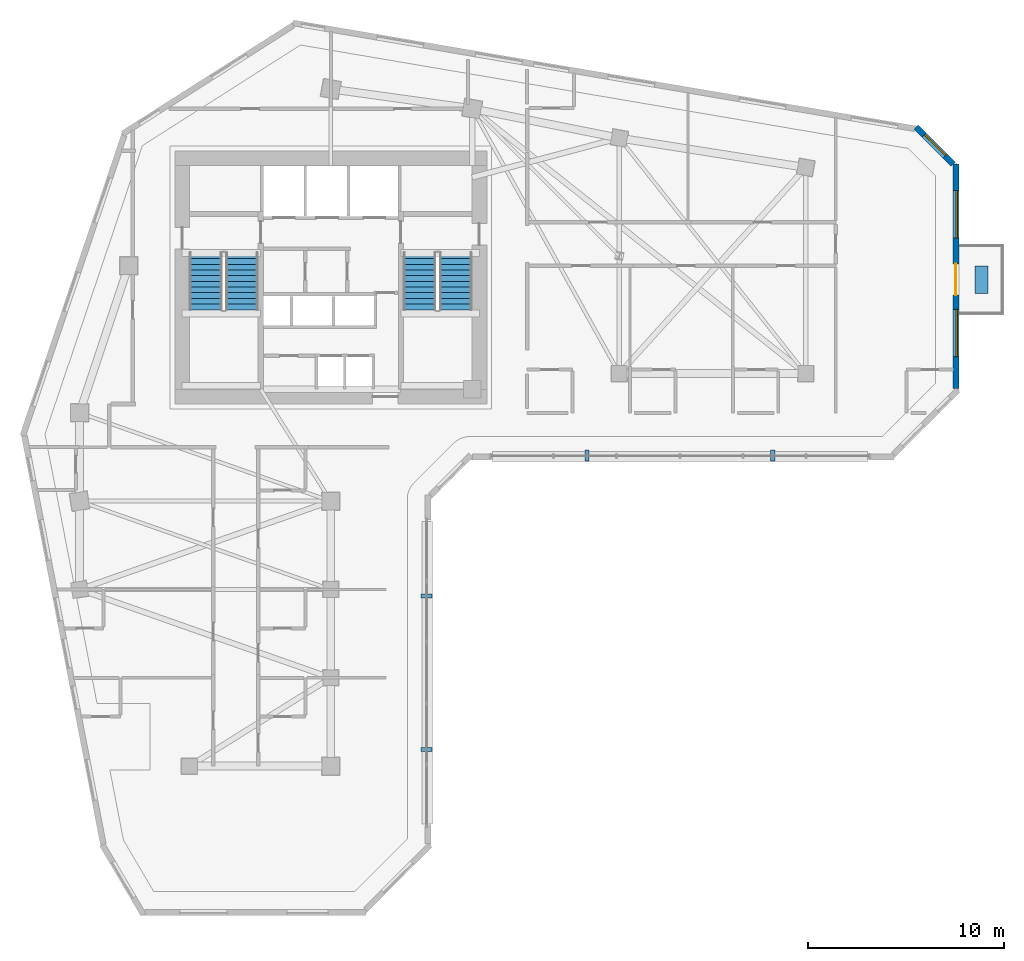
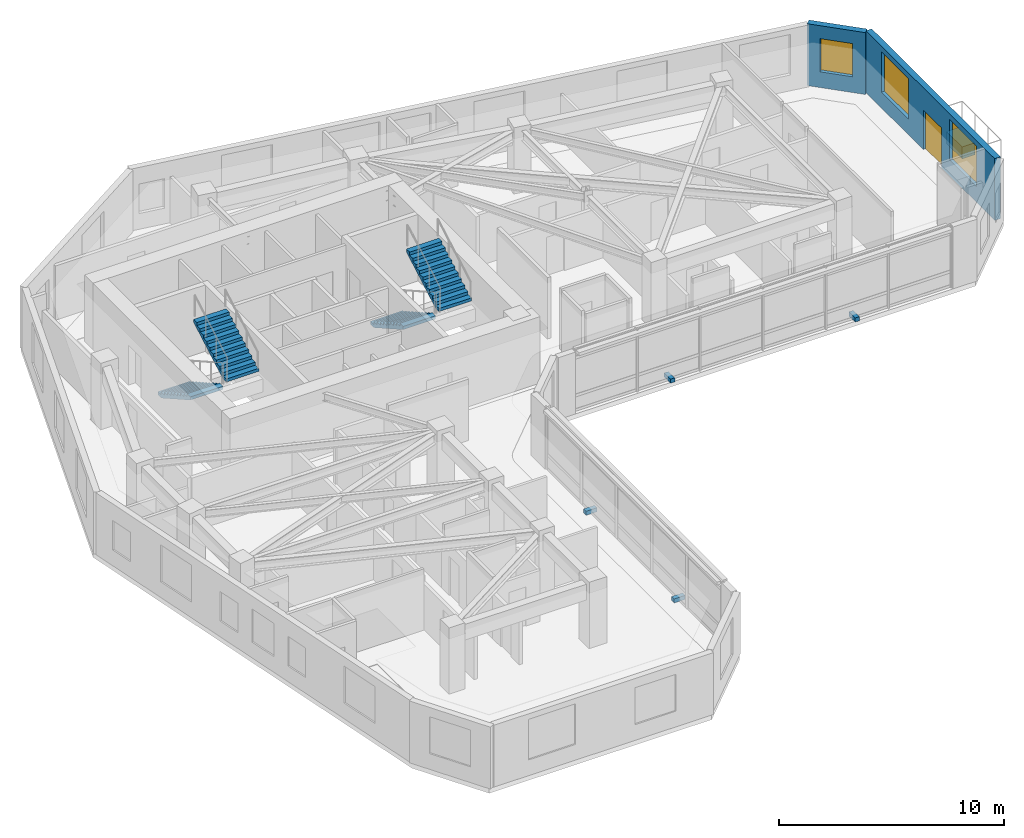
# One storey, part 9 of 14: 5 discrete accessories, 4 stair flights, 3 windows, 2 walls, 1 door, 4 openings, 2 elements without a shape of their own.
"""IFC4 building model written with IfcOpenShell, lengths in metres."""

from ifc_helpers import new_model, si_unit, direction, frame, frame_2d, origin, origin_2d, place, context, subcontext, project, spatial, polyline, rectangle, outline, extrude, source, transform, mapped, material, layer, layer_set, type_object, element, fill, aggregate, save


model = new_model("IFC4")

# Units and contexts
model_context = context("Model", 3, precision=1e-05, world=origin(), true_north=direction((0.0, 1.0)))
body_context = subcontext(model_context, "Body", "Model", "MODEL_VIEW")
ifc_project = project(units=[si_unit("LENGTHUNIT", "METRE"), si_unit("AREAUNIT", "SQUARE_METRE"), si_unit("VOLUMEUNIT", "CUBIC_METRE"), si_unit("PLANEANGLEUNIT", "RADIAN"), si_unit("MASSUNIT", "GRAM", prefix="KILO")], contexts=[model_context])

# Site, building, storey
site_placement = place(None, origin())
site = spatial("IfcSite", under=ifc_project, at=site_placement, CompositionType="ELEMENT")
building_placement = place(site_placement, origin())
building = spatial("IfcBuilding", under=site, at=building_placement, Name="Calvemar Wedge Station Tower", CompositionType="ELEMENT")
storey_placement = place(building_placement, frame((0.0, 0.0, 125.0)))
storey = spatial("IfcBuildingStorey", under=building, at=storey_placement, Name="L30", CompositionType="ELEMENT", Elevation=125.0)

# Wall, openings, windows, door
ifc_material_1 = material(Name="Precast concrete C45", Category="concrete")
ifc_layer = layer(ifc_material_1, 0.300048828125)
ifc_layer_set = layer_set([ifc_layer], Name="Precast concrete C45")
wall_type = type_object("IfcWallType", Name="W-EXT-GFRC-300", PredefinedType="SOLIDWALL", material=ifc_layer_set)
wall_1_placement = place(storey_placement, frame((55.64990234375, 34.249267578125, 0.0), z_axis=(0.0, 0.0, 1.0), x_axis=(0.0, 1.0, 0.0)))
wall_1 = element("IfcWall", 1, at=wall_1_placement, inside=storey, type_object=wall_type, Name="Storey L30 Bronze GFRC Exterior Wall 8", PredefinedType="SOLIDWALL", context=body_context, shape_type="SweptSolid", body=[
    extrude(rectangle(XDim=11.4306640625, YDim=0.300048828125, at=frame_2d((5.71533203125, 0.0))), origin(), (0.0, 0.0, 1.0), 3.35009765625),
])
shared_shape_1 = source(origin(), body_context, "Body", "SweptSolid", [
    extrude(rectangle(XDim=1.60009765625, YDim=2.14990234375, at=frame_2d((0.800048828125, 1.074951171875))), frame((0.0, 0.16015625, 0.0), z_axis=(0.0, -1.0, 0.0), x_axis=(1.0, 0.0, 0.0)), (0.0, 0.0, 1.0), 0.320068359375),
])
opening_1_placement = place(wall_1_placement, frame((4.742919921875, 0.0, 0.0)))
opening_1 = element("IfcOpeningElement", 2, at=opening_1_placement, cuts=wall_1, Name="Opening DT1", PredefinedType="OPENING", context=body_context, shape_type="MappedRepresentation", body=[
    mapped(shared_shape_1, transform((0.0, 0.0, 0.0), scale=1.0)),
])
shared_shape_2 = source(origin(), body_context, "Body", "SweptSolid", [
    extrude(rectangle(XDim=2.39990234375, YDim=2.199951171875, at=frame_2d((1.199951171875, 1.10009765625))), frame((0.0, 0.16015625, 0.0), z_axis=(0.0, -1.0, 0.0), x_axis=(1.0, 0.0, 0.0)), (0.0, 0.0, 1.0), 0.320068359375),
])
opening_2_placement = place(wall_1_placement, frame((1.616943359375, 0.0, 0.85009765625)))
opening_2 = element("IfcOpeningElement", 3, at=opening_2_placement, cuts=wall_1, Name="Opening W1", PredefinedType="OPENING", context=body_context, shape_type="MappedRepresentation", body=[
    mapped(shared_shape_2, transform((0.0, 0.0, 0.0), scale=1.0)),
])
opening_3_placement = place(wall_1_placement, frame((7.6669921875, 0.0, 0.85009765625)))
opening_3 = element("IfcOpeningElement", 4, at=opening_3_placement, cuts=wall_1, Name="Opening W1", PredefinedType="OPENING", context=body_context, shape_type="MappedRepresentation", body=[
    mapped(shared_shape_2, transform((0.0, 0.0, 0.0), scale=1.0)),
])
ifc_material_2 = material(Name="Low-E laminated insulated glass", Category="glass")
window_type_1 = type_object("IfcWindowType", Name="WIN-EXT-1", PartitioningType="SINGLE_PANEL", PredefinedType="WINDOW", material=ifc_material_2)
shared_shape_3 = source(origin(), body_context, "Body", "SweptSolid", [
    extrude(rectangle(XDim=2.39990234375, YDim=2.199951171875, at=frame_2d((1.199951171875, 1.10009765625))), frame((0.0, -0.014892578125, 0.0), z_axis=(0.0, -1.0, 0.0), x_axis=(1.0, 0.0, 0.0)), (0.0, 0.0, 1.0), 0.06005859375),
])
window_1_placement = place(opening_2_placement, origin())
window_1 = element("IfcWindow", 5, at=window_1_placement, inside=storey, type_object=window_type_1, Name="Storey L30 Recessed Window 8.1", OverallHeight=2.199951171875, OverallWidth=2.39990234375, PartitioningType="SINGLE_PANEL", PredefinedType="WINDOW", context=body_context, shape_type="MappedRepresentation", body=[
    mapped(shared_shape_3, transform((0.0, 0.0, 0.0), scale=1.0)),
])
fill(opening_2, window_1)
window_2_placement = place(opening_3_placement, origin())
window_2 = element("IfcWindow", 6, at=window_2_placement, inside=storey, type_object=window_type_1, Name="Storey L30 Recessed Window 8.2", OverallHeight=2.199951171875, OverallWidth=2.39990234375, PartitioningType="SINGLE_PANEL", PredefinedType="WINDOW", context=body_context, shape_type="MappedRepresentation", body=[
    mapped(shared_shape_3, transform((0.0, 0.0, 0.0), scale=1.0)),
])
fill(opening_3, window_2)
ifc_material_3 = material(Name="Anodised aluminium 6063-T6", Category="aluminium")
door_type = type_object("IfcDoorType", Name="DR-TERR-1600", OperationType="DOUBLE_DOOR_SLIDING", PredefinedType="DOOR", material=ifc_material_3)
shared_shape_4 = source(origin(), body_context, "Body", "SweptSolid", [
    extrude(rectangle(XDim=1.60009765625, YDim=2.14990234375, at=frame_2d((0.800048828125, 1.074951171875))), frame((0.0, 0.02490234375, 0.0), z_axis=(0.0, -1.0, 0.0), x_axis=(1.0, 0.0, 0.0)), (0.0, 0.0, 1.0), 0.050048828125),
])
door_placement = place(opening_1_placement, origin())
door = element("IfcDoor", 7, at=door_placement, inside=storey, type_object=door_type, Name="Storey L30 Spiral Terrace Door", OperationType="DOUBLE_DOOR_SLIDING", OverallHeight=2.14990234375, OverallWidth=1.60009765625, PredefinedType="DOOR", context=body_context, shape_type="MappedRepresentation", body=[
    mapped(shared_shape_4, transform((0.0, 0.0, 0.0), scale=1.0)),
])
fill(opening_1, door)

# Wall, opening, window
wall_2_placement = place(storey_placement, frame((55.511962890625, 45.66796875, 0.0), z_axis=(0.0, 0.0, 1.0), x_axis=(-0.707152443695, 0.707061115729, 0.0)))
wall_2 = element("IfcWall", 8, at=wall_2_placement, inside=storey, type_object=wall_type, Name="Storey L30 Bronze GFRC Exterior Wall 9", PredefinedType="SOLIDWALL", context=body_context, shape_type="SweptSolid", body=[
    extrude(rectangle(XDim=2.67333984375, YDim=0.300048828125, at=frame_2d((1.336669921875, 0.0))), origin(), (0.0, 0.0, 1.0), 3.35009765625),
])
shared_shape_5 = source(origin(), body_context, "Body", "SweptSolid", [
    extrude(rectangle(XDim=1.5, YDim=1.800048828125, at=frame_2d((0.75, 0.89990234375))), frame((0.0, 0.16015625, 0.0), z_axis=(0.0, -1.0, 0.0), x_axis=(1.0, 0.0, 0.0)), (0.0, 0.0, 1.0), 0.320068359375),
])
opening_4_placement = place(wall_2_placement, frame((0.5869140625, 0.0, 0.85009765625)))
opening_4 = element("IfcOpeningElement", 9, at=opening_4_placement, cuts=wall_2, Name="Opening W3", PredefinedType="OPENING", context=body_context, shape_type="MappedRepresentation", body=[
    mapped(shared_shape_5, transform((0.0, 0.0, 0.0), scale=1.0)),
])
window_type_2 = type_object("IfcWindowType", Name="WIN-EXT-3", PartitioningType="SINGLE_PANEL", PredefinedType="WINDOW", material=ifc_material_2)
shared_shape_6 = source(origin(), body_context, "Body", "SweptSolid", [
    extrude(rectangle(XDim=1.5, YDim=1.800048828125, at=frame_2d((0.75, 0.89990234375))), frame((0.0, -0.014892578125, 0.0), z_axis=(0.0, -1.0, 0.0), x_axis=(1.0, 0.0, 0.0)), (0.0, 0.0, 1.0), 0.06005859375),
])
window_3_placement = place(opening_4_placement, origin())
window_3 = element("IfcWindow", 10, at=window_3_placement, inside=storey, type_object=window_type_2, Name="Storey L30 Recessed Window 9.1", OverallHeight=1.800048828125, OverallWidth=1.5, PartitioningType="SINGLE_PANEL", PredefinedType="WINDOW", context=body_context, shape_type="MappedRepresentation", body=[
    mapped(shared_shape_6, transform((0.0, 0.0, 0.0), scale=1.0)),
])
fill(opening_4, window_3)

# Stair, stair flights
ifc_material_4 = material(Name="Concrete C45", Category="concrete")
stair_type = type_object("IfcStairType", Name="ST-TYPE-3600", PredefinedType="HALF_TURN_STAIR", material=ifc_material_4)
stair_1_placement = place(storey_placement, origin())
stair_1 = element("IfcStair", 11, at=stair_1_placement, inside=storey, type_object=stair_type, Name="L30 Pressurized Core Exit Stair ST-C1", PredefinedType="HALF_TURN_STAIR")
stair_flight_type = type_object("IfcStairFlightType", Name="STF-TYPE-3600", PredefinedType="STRAIGHT", material=ifc_material_4)
stair_flight_1_placement = place(storey_placement, frame((17.429931640625, 41.14990234375, 0.0), z_axis=(0.0, 0.0, 1.0), x_axis=(0.0, -1.0, 0.0)))
stair_flight_1 = element("IfcStairFlight", 12, at=stair_flight_1_placement, type_object=stair_flight_type, Name="ST-C1 flight 1", NumberOfRisers=11, NumberOfTreads=10, PredefinedType="STRAIGHT", RiserHeight=0.163636364, TreadLength=0.29, context=body_context, shape_type="SweptSolid", body=[
    extrude(outline(polyline([(0.0, 0.0), (0.0, 0.16357421875), (0.2900390625, 0.16357421875), (0.2900390625, 0.327392578125), (0.580078125, 0.327392578125), (0.580078125, 0.490966796875), (0.8701171875, 0.490966796875), (0.8701171875, 0.654541015625), (1.159912109375, 0.654541015625), (1.159912109375, 0.818115234375), (1.449951171875, 0.818115234375), (1.449951171875, 0.98193359375), (1.739990234375, 0.98193359375), (1.739990234375, 1.1455078125), (2.030029296875, 1.1455078125), (2.030029296875, 1.30908203125), (2.320068359375, 1.30908203125), (2.320068359375, 1.47265625), (2.610107421875, 1.47265625), (2.610107421875, 1.636474609375), (2.89990234375, 1.636474609375), (2.89990234375, 1.800048828125), (2.89990234375, 1.46435546875), (0.304931640625, 0.0), (0.0, 0.0)])), frame((0.0, 0.830078125, 0.0), z_axis=(0.0, -1.0, 0.0), x_axis=(1.0, 0.0, 0.0)), (0.0, 0.0, 1.0), 1.659912109375),
])
stair_flight_2_placement = place(storey_placement, frame((19.27001953125, 38.25, 1.800048828125), z_axis=(0.0, 0.0, 1.0), x_axis=(0.0, 1.0, 0.0)))
stair_flight_2 = element("IfcStairFlight", 13, at=stair_flight_2_placement, type_object=stair_flight_type, Name="ST-C1 flight 2", NumberOfRisers=11, NumberOfTreads=10, PredefinedType="STRAIGHT", RiserHeight=0.163636364, TreadLength=0.29, context=body_context, shape_type="SweptSolid", body=[
    extrude(outline(polyline([(0.0, 0.0), (0.0, 0.16357421875), (0.2900390625, 0.16357421875), (0.2900390625, 0.327392578125), (0.580078125, 0.327392578125), (0.580078125, 0.490966796875), (0.8701171875, 0.490966796875), (0.8701171875, 0.654541015625), (1.159912109375, 0.654541015625), (1.159912109375, 0.818115234375), (1.449951171875, 0.818115234375), (1.449951171875, 0.98193359375), (1.739990234375, 0.98193359375), (1.739990234375, 1.1455078125), (2.030029296875, 1.1455078125), (2.030029296875, 1.30908203125), (2.320068359375, 1.30908203125), (2.320068359375, 1.47265625), (2.610107421875, 1.47265625), (2.610107421875, 1.636474609375), (2.89990234375, 1.636474609375), (2.89990234375, 1.800048828125), (2.89990234375, 1.46435546875), (0.304931640625, 0.0), (0.0, 0.0)])), frame((0.0, 0.830078125, 0.0), z_axis=(0.0, -1.0, 0.0), x_axis=(1.0, 0.0, 0.0)), (0.0, 0.0, 1.0), 1.659912109375),
])
aggregate(stair_1, [stair_flight_1, stair_flight_2])

stair_2_placement = place(storey_placement, origin())
stair_2 = element("IfcStair", 14, at=stair_2_placement, inside=storey, type_object=stair_type, Name="L30 Pressurized Core Exit Stair ST-C2", PredefinedType="HALF_TURN_STAIR")
stair_flight_3_placement = place(storey_placement, frame((28.330078125, 41.14990234375, 0.0), z_axis=(0.0, 0.0, 1.0), x_axis=(0.0, -1.0, 0.0)))
stair_flight_3 = element("IfcStairFlight", 15, at=stair_flight_3_placement, type_object=stair_flight_type, Name="ST-C2 flight 1", NumberOfRisers=11, NumberOfTreads=10, PredefinedType="STRAIGHT", RiserHeight=0.163636364, TreadLength=0.29, context=body_context, shape_type="SweptSolid", body=[
    extrude(outline(polyline([(0.0, 0.0), (0.0, 0.16357421875), (0.2900390625, 0.16357421875), (0.2900390625, 0.327392578125), (0.580078125, 0.327392578125), (0.580078125, 0.490966796875), (0.8701171875, 0.490966796875), (0.8701171875, 0.654541015625), (1.159912109375, 0.654541015625), (1.159912109375, 0.818115234375), (1.449951171875, 0.818115234375), (1.449951171875, 0.98193359375), (1.739990234375, 0.98193359375), (1.739990234375, 1.1455078125), (2.030029296875, 1.1455078125), (2.030029296875, 1.30908203125), (2.320068359375, 1.30908203125), (2.320068359375, 1.47265625), (2.610107421875, 1.47265625), (2.610107421875, 1.636474609375), (2.89990234375, 1.636474609375), (2.89990234375, 1.800048828125), (2.89990234375, 1.46435546875), (0.304931640625, 0.0), (0.0, 0.0)])), frame((0.0, 0.830078125, 0.0), z_axis=(0.0, -1.0, 0.0), x_axis=(1.0, 0.0, 0.0)), (0.0, 0.0, 1.0), 1.659912109375),
])
stair_flight_4_placement = place(storey_placement, frame((30.169921875, 38.25, 1.800048828125), z_axis=(0.0, 0.0, 1.0), x_axis=(0.0, 1.0, 0.0)))
stair_flight_4 = element("IfcStairFlight", 16, at=stair_flight_4_placement, type_object=stair_flight_type, Name="ST-C2 flight 2", NumberOfRisers=11, NumberOfTreads=10, PredefinedType="STRAIGHT", RiserHeight=0.163636364, TreadLength=0.29, context=body_context, shape_type="SweptSolid", body=[
    extrude(outline(polyline([(0.0, 0.0), (0.0, 0.16357421875), (0.2900390625, 0.16357421875), (0.2900390625, 0.327392578125), (0.580078125, 0.327392578125), (0.580078125, 0.490966796875), (0.8701171875, 0.490966796875), (0.8701171875, 0.654541015625), (1.159912109375, 0.654541015625), (1.159912109375, 0.818115234375), (1.449951171875, 0.818115234375), (1.449951171875, 0.98193359375), (1.739990234375, 0.98193359375), (1.739990234375, 1.1455078125), (2.030029296875, 1.1455078125), (2.030029296875, 1.30908203125), (2.320068359375, 1.30908203125), (2.320068359375, 1.47265625), (2.610107421875, 1.47265625), (2.610107421875, 1.636474609375), (2.89990234375, 1.636474609375), (2.89990234375, 1.800048828125), (2.89990234375, 1.46435546875), (0.304931640625, 0.0), (0.0, 0.0)])), frame((0.0, 0.830078125, 0.0), z_axis=(0.0, -1.0, 0.0), x_axis=(1.0, 0.0, 0.0)), (0.0, 0.0, 1.0), 1.659912109375),
])
aggregate(stair_2, [stair_flight_3, stair_flight_4])

# Discrete accessories
ifc_material_5 = material(Name="Stainless steel AISI 316L", Category="steel")
discrete_accessory_type_1 = type_object("IfcDiscreteAccessoryType", Name="BRK-316L", PredefinedType="BRACKET", material=ifc_material_5)
shared_shape_7 = source(origin(), body_context, "Body", "SweptSolid", [
    extrude(rectangle(XDim=0.219970703125, YDim=0.56005859375, at=origin_2d()), origin(), (0.0, 0.0, 1.0), 0.219970703125),
])
for number, where, z_axis, x_axis, name in (
    (17, (28.666015625, 15.843994140625, 0.0), (0.0, 0.0, 1.0), (0.0, 1.0, 0.0), "Storey L30 Recessed Facade Stainless Bracket 4.1"),
    (18, (28.666015625, 23.67236328125, 0.0), (0.0, 0.0, 1.0), (0.0, 1.0, 0.0), "Storey L30 Recessed Facade Stainless Bracket 4.2"),
    (19, (36.85498046875, 30.822021484375, 0.0), (0.0, 0.0, 1.0), (1.0, 0.0, 0.0), "Storey L30 Recessed Facade Stainless Bracket 6.1"),
    (20, (46.316650390625, 30.822021484375, 0.0), (0.0, 0.0, 1.0), (1.0, 0.0, 0.0), "Storey L30 Recessed Facade Stainless Bracket 6.2"),
):
    element("IfcDiscreteAccessory", number, at=place(storey_placement, frame(where, z_axis=z_axis, x_axis=x_axis)), inside=storey, type_object=discrete_accessory_type_1, Name=name, PredefinedType="BRACKET", context=body_context, shape_type="MappedRepresentation", body=[
        mapped(shared_shape_7, transform((0.0, 0.0, 0.0), scale=1.0)),
    ])
discrete_accessory_type_2 = type_object("IfcDiscreteAccessoryType", Name="ACC-PLANTER", PredefinedType="USERDEFINED", material=ifc_material_1)
shared_shape_8 = source(origin(), body_context, "Body", "SweptSolid", [
    extrude(rectangle(XDim=0.64990234375, YDim=1.39990234375, at=origin_2d()), origin(), (0.0, 0.0, 1.0), 0.64990234375),
])
discrete_accessory_placement = place(storey_placement, frame((56.949951171875, 39.7919921875, 0.0), z_axis=(0.0, 0.0, 1.0), x_axis=(1.0, 0.0, 0.0)))
element("IfcDiscreteAccessory", 21, at=discrete_accessory_placement, inside=storey, type_object=discrete_accessory_type_2, Name="Storey L30 Planted Terrace GFRC Planter", ObjectType="PLANTER", PredefinedType="USERDEFINED", context=body_context, shape_type="MappedRepresentation", body=[
    mapped(shared_shape_8, transform((0.0, 0.0, 0.0), scale=1.0)),
])

save(model, "model.ifc")
